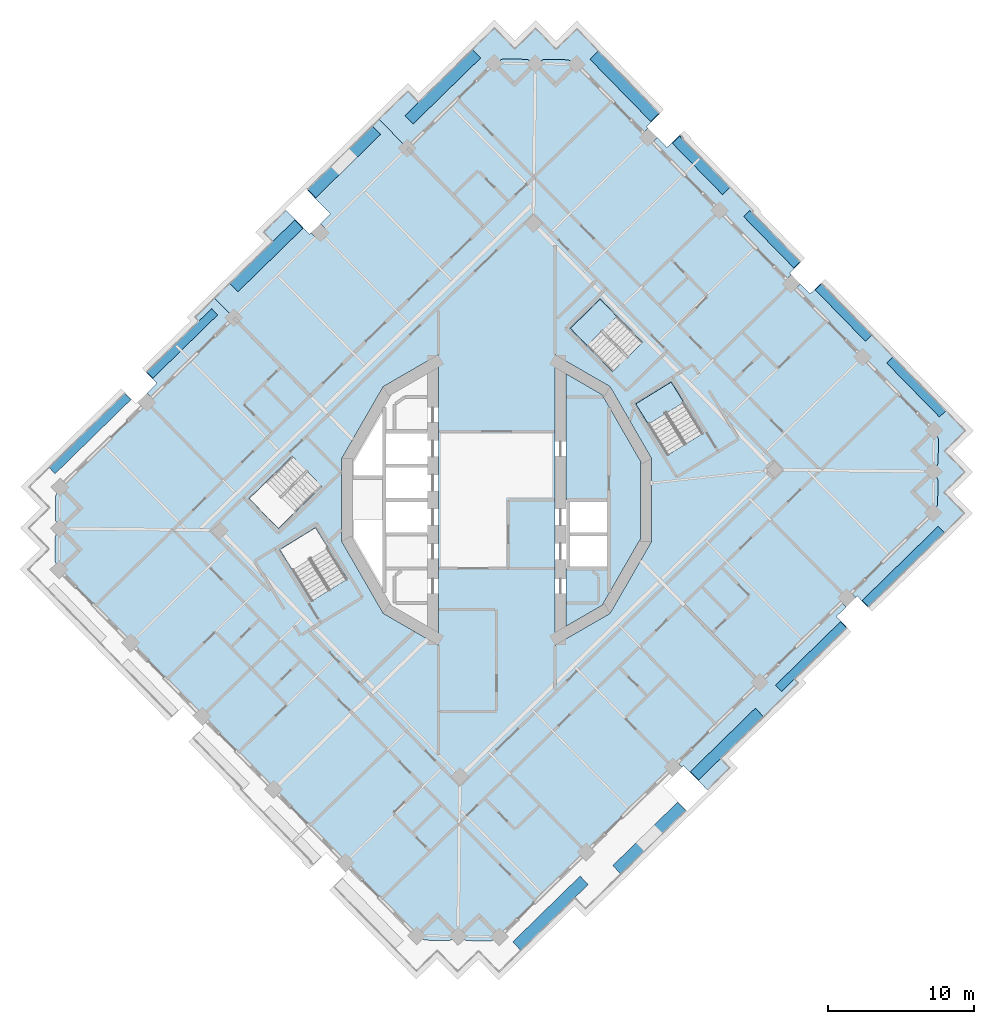
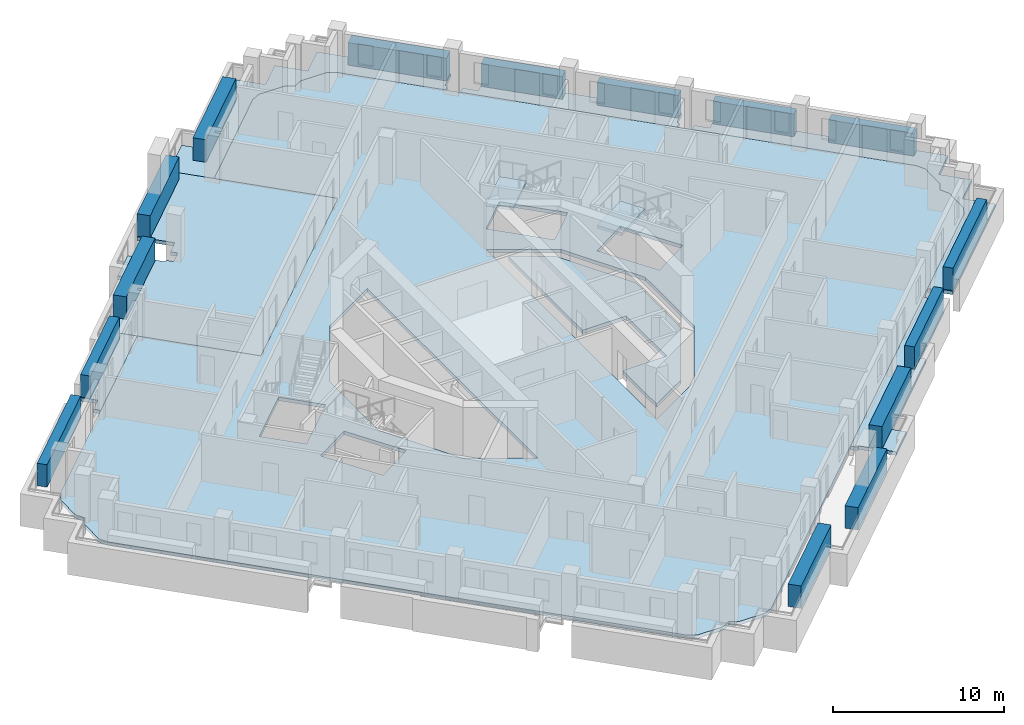
# One storey, part 3 of 19: 15 plates, 10 slabs, 2 elements without a shape of their own.
"""IFC4 building model written with IfcOpenShell, lengths in metres."""

from ifc_helpers import new_model, si_unit, direction, frame, origin, origin_2d, place, context, subcontext, project, spatial, polyline, rectangle, outline, extrude, material, layer, layer_set, type_object, element, aggregate, save


model = new_model("IFC4")

# Units and contexts
model_context = context("Model", 3, precision=1e-05, world=origin(), true_north=direction((0.0, 1.0)))
body_context = subcontext(model_context, "Body", "Model", "MODEL_VIEW")
ifc_project = project(units=[si_unit("LENGTHUNIT", "METRE"), si_unit("AREAUNIT", "SQUARE_METRE"), si_unit("VOLUMEUNIT", "CUBIC_METRE"), si_unit("PLANEANGLEUNIT", "RADIAN"), si_unit("MASSUNIT", "GRAM", prefix="KILO")], contexts=[model_context])

# Site, building, storey
site_placement = place(None, origin())
site = spatial("IfcSite", under=ifc_project, at=site_placement, CompositionType="ELEMENT")
building_placement = place(site_placement, origin())
building = spatial("IfcBuilding", under=site, at=building_placement, Name="Cantera Rosa Tower", CompositionType="ELEMENT")
storey_placement = place(building_placement, frame((0.0, 0.0, 216.199951171875)))
storey = spatial("IfcBuildingStorey", under=building, at=storey_placement, Name="L46", CompositionType="ELEMENT", Elevation=216.199951171875)

# Slabs
ifc_material_1 = material(Name="Concrete C35/45", Category="concrete")
ifc_layer_1 = layer(ifc_material_1, 0.25)
ifc_layer_set_1 = layer_set([ifc_layer_1], Name="COMPOSITE FLOOR SLAB 250 C35/45")
slab_type_1 = type_object("IfcSlabType", Name="COMPOSITE FLOOR SLAB 250 C35/45", PredefinedType="FLOOR", material=ifc_layer_set_1)
slab_1_placement = place(storey_placement, frame((0.0, 0.0, -0.25)))
element("IfcSlab", 1, at=slab_1_placement, inside=storey, type_object=slab_type_1, Name="SLAB L46 floor 2", PredefinedType="FLOOR", context=body_context, shape_type="SweptSolid", body=[
    extrude(outline(polyline([(-2.154541015625, -30.1875), (-2.646484375, -29.917236328125), (-3.144287109375, -30.176025390625), (-3.171142578125, -30.188232421875), (-3.198974609375, -30.197998046875), (-3.2275390625, -30.20458984375), (-3.2568359375, -30.208740234375), (-3.2861328125, -30.209716796875), (-4.841796875, -30.191650390625), (-4.87109375, -30.18994140625), (-4.900146484375, -30.185302734375), (-4.9287109375, -30.177734375), (-4.956298828125, -30.16748046875), (-4.982666015625, -30.154541015625), (-5.474609375, -29.88427734375), (-30.003662109375, -4.777587890625), (-30.262451171875, -4.27978515625), (-30.274658203125, -4.2529296875), (-30.2841796875, -4.22509765625), (-30.291015625, -4.196533203125), (-30.295166015625, -4.167236328125), (-30.296142578125, -4.137939453125), (-30.278076171875, -2.58251953125), (-30.2763671875, -2.552978515625), (-30.271484375, -2.52392578125), (-30.26416015625, -2.495361328125), (-30.25390625, -2.4677734375), (-30.240966796875, -2.44140625), (-29.970703125, -1.949462890625), (-30.2294921875, -1.451416015625), (-30.24169921875, -1.4248046875), (-30.25146484375, -1.39697265625), (-30.25830078125, -1.368408203125), (-30.26220703125, -1.339111328125), (-30.26318359375, -1.309814453125), (-30.2451171875, 0.245849609375), (-30.243408203125, 0.275146484375), (-30.23876953125, 0.30419921875), (-30.231201171875, 0.332763671875), (-30.220947265625, 0.3603515625), (-30.2080078125, 0.386962890625), (-29.937744140625, 0.878662109375), (-18.035400390625, 12.50732421875), (-12.794189453125, 7.142578125), (-0.891845703125, 18.771240234375), (-6.133056640625, 24.1357421875), (-0.883056640625, 29.26513671875), (-0.181884765625, 29.9501953125), (0.316162109375, 30.208984375), (0.343017578125, 30.22119140625), (0.37060546875, 30.230712890625), (0.3994140625, 30.237548828125), (0.4287109375, 30.24169921875), (0.4580078125, 30.24267578125), (2.013427734375, 30.224609375), (2.04296875, 30.222900390625), (2.072021484375, 30.218017578125), (2.100341796875, 30.210693359375), (2.1279296875, 30.200439453125), (2.154541015625, 30.1875), (2.646484375, 29.917236328125), (3.144287109375, 30.176025390625), (3.171142578125, 30.188232421875), (3.198974609375, 30.197998046875), (3.2275390625, 30.20458984375), (3.2568359375, 30.208740234375), (3.2861328125, 30.209716796875), (4.841796875, 30.191650390625), (4.87109375, 30.18994140625), (4.900146484375, 30.185302734375), (4.9287109375, 30.177734375), (4.956298828125, 30.16748046875), (4.982666015625, 30.154541015625), (5.474609375, 29.88427734375), (30.003662109375, 4.777587890625), (30.262451171875, 4.27978515625), (30.274658203125, 4.2529296875), (30.2841796875, 4.22509765625), (30.291015625, 4.196533203125), (30.295166015625, 4.167236328125), (30.296142578125, 4.137939453125), (30.278076171875, 2.58251953125), (30.2763671875, 2.552978515625), (30.271484375, 2.52392578125), (30.26416015625, 2.495361328125), (30.25390625, 2.4677734375), (30.240966796875, 2.44140625), (29.970703125, 1.949462890625), (30.2294921875, 1.451416015625), (30.24169921875, 1.4248046875), (30.25146484375, 1.39697265625), (30.25830078125, 1.368408203125), (30.26220703125, 1.339111328125), (30.26318359375, 1.309814453125), (30.2451171875, -0.245849609375), (30.243408203125, -0.275146484375), (30.23876953125, -0.30419921875), (30.231201171875, -0.332763671875), (30.220947265625, -0.3603515625), (30.2080078125, -0.386962890625), (29.937744140625, -0.878662109375), (0.883056640625, -29.26513671875), (0.181884765625, -29.9501953125), (-0.316162109375, -30.208984375), (-0.343017578125, -30.22119140625), (-0.37060546875, -30.230712890625), (-0.3994140625, -30.237548828125), (-0.4287109375, -30.24169921875), (-0.4580078125, -30.24267578125), (-2.013427734375, -30.224609375), (-2.04296875, -30.222900390625), (-2.072021484375, -30.218017578125), (-2.100341796875, -30.210693359375), (-2.1279296875, -30.200439453125), (-2.154541015625, -30.1875)]), holes=[polyline([(-14.8564453125, -3.407470703125), (-12.68408203125, -6.929443359375), (-10.258544921875, -5.433349609375), (-12.430908203125, -1.911376953125), (-14.8564453125, -3.407470703125)]), polyline([(-10.625244140625, -2.846923828125), (-7.7783203125, -7.7783203125), (-4.0, -9.95947265625), (-4.0, 9.95947265625), (-7.7783203125, 7.7783203125), (-10.625244140625, 2.846923828125), (-10.625244140625, -2.846923828125)]), polyline([(-16.962890625, 0.097412109375), (-14.97119140625, -1.941162109375), (-12.01123046875, 0.95068359375), (-14.0029296875, 2.9892578125), (-16.962890625, 0.097412109375)]), polyline([(10.625244140625, -2.846923828125), (10.625244140625, 2.846923828125), (7.7783203125, 7.7783203125), (4.0, 9.95947265625), (4.0, -9.95947265625), (7.7783203125, -7.7783203125), (10.625244140625, -2.846923828125)]), polyline([(11.96923828125, 8.088623046875), (9.54345703125, 6.592529296875), (11.7158203125, 3.070556640625), (14.1416015625, 4.566650390625), (11.96923828125, 8.088623046875)]), polyline([(7.097412109375, 13.762939453125), (5.058837890625, 11.771240234375), (7.95068359375, 8.811279296875), (9.9892578125, 10.802978515625), (7.097412109375, 13.762939453125)])]), origin(), (0.0, 0.0, 1.0), 0.25),
])
slab_2_placement = place(storey_placement, frame((0.0, 0.0, -0.25)))
element("IfcSlab", 2, at=slab_2_placement, inside=storey, type_object=slab_type_1, Name="SLAB L46 floor 3", PredefinedType="FLOOR", context=body_context, shape_type="SweptSolid", body=[
    extrude(outline(polyline([(7.699951171875, 0.0), (4.75, 0.0), (4.75, 8.660400390625), (7.22900390625, 7.22900390625), (9.875244140625, 2.64599609375), (9.875244140625, -2.64599609375), (7.22900390625, -7.22900390625), (4.75, -8.660400390625), (4.75, -4.699951171875), (7.699951171875, -4.699951171875), (7.699951171875, -2.35009765625), (7.699951171875, 0.0)])), origin(), (0.0, 0.0, 1.0), 0.25),
])
ifc_material_2 = material(Name="Concrete C35/45", Category="concrete")
ifc_layer_2 = layer(ifc_material_2, 0.25)
ifc_layer_set_2 = layer_set([ifc_layer_2], Name="LOGGIA SLAB 250 C35/45")
slab_type_2 = type_object("IfcSlabType", Name="LOGGIA SLAB 250 C35/45", PredefinedType="FLOOR", material=ifc_layer_set_2)
slab_3_placement = place(storey_placement, frame((0.0, 0.0, -0.25)))
element("IfcSlab", 3, at=slab_3_placement, inside=storey, type_object=slab_type_2, Name="LOGGIA SLAB L46 2", PredefinedType="FLOOR", context=body_context, shape_type="SweptSolid", body=[
    extrude(outline(polyline([(-23.664794921875, 7.007568359375), (-23.979248046875, 7.329345703125), (-23.2998046875, 7.9931640625), (-24.033447265625, 8.744384765625), (-23.9619140625, 8.814208984375), (-20.416015625, 12.278564453125), (-20.669189453125, 12.537841796875), (-19.3369140625, 13.839599609375), (-18.035400390625, 12.50732421875), (-23.664794921875, 7.007568359375)])), origin(), (0.0, 0.0, 1.0), 0.25),
])
slab_4_placement = place(storey_placement, frame((0.0, 0.0, -0.25)))
element("IfcSlab", 4, at=slab_4_placement, inside=storey, type_object=slab_type_2, Name="LOGGIA SLAB L46 4", PredefinedType="FLOOR", context=body_context, shape_type="SweptSolid", body=[
    extrude(outline(polyline([(1.243896484375, 30.923583984375), (1.45849609375, 31.13330078125), (2.67431640625, 32.3212890625), (3.8623046875, 31.105224609375), (4.072021484375, 30.890625), (4.28662109375, 31.100341796875), (5.502685546875, 32.288330078125), (6.690673828125, 31.072265625), (11.177001953125, 26.480224609375), (10.282958984375, 25.606689453125), (10.3876953125, 25.499267578125), (10.06591796875, 25.184814453125), (5.474609375, 29.88427734375), (4.982666015625, 30.154541015625), (4.956298828125, 30.16748046875), (4.9287109375, 30.177734375), (4.900146484375, 30.185302734375), (4.87109375, 30.18994140625), (4.841796875, 30.191650390625), (3.2861328125, 30.209716796875), (3.2568359375, 30.208740234375), (3.2275390625, 30.20458984375), (3.198974609375, 30.197998046875), (3.171142578125, 30.188232421875), (3.144287109375, 30.176025390625), (2.646484375, 29.917236328125), (2.154541015625, 30.1875), (2.1279296875, 30.200439453125), (2.100341796875, 30.210693359375), (2.072021484375, 30.218017578125), (2.04296875, 30.222900390625), (2.013427734375, 30.224609375), (0.4580078125, 30.24267578125), (0.4287109375, 30.24169921875), (0.3994140625, 30.237548828125), (0.37060546875, 30.230712890625), (0.343017578125, 30.22119140625), (0.316162109375, 30.208984375), (-0.181884765625, 29.9501953125), (-0.883056640625, 29.26513671875), (-6.133056640625, 24.1357421875), (-8.052490234375, 26.100341796875), (-6.087890625, 28.019775390625), (-5.3564453125, 27.271240234375), (-1.369873046875, 31.166015625), (-0.15380859375, 32.35400390625), (1.0341796875, 31.13818359375), (1.243896484375, 30.923583984375)])), origin(), (0.0, 0.0, 1.0), 0.25),
])
slab_5_placement = place(storey_placement, frame((0.0, 0.0, -0.25)))
element("IfcSlab", 5, at=slab_5_placement, inside=storey, type_object=slab_type_2, Name="LOGGIA SLAB L46 6", PredefinedType="FLOOR", context=body_context, shape_type="SweptSolid", body=[
    extrude(outline(polyline([(20.845703125, 16.2978515625), (20.094482421875, 15.56396484375), (20.199462890625, 15.456787109375), (19.87744140625, 15.14208984375), (10.69482421875, 24.541015625), (11.016845703125, 24.855712890625), (11.6806640625, 24.176025390625), (12.57470703125, 25.049560546875), (12.784423828125, 24.8349609375), (12.724609375, 24.776611328125), (17.57177734375, 19.815185546875), (17.488525390625, 19.73388671875), (20.216796875, 16.94140625), (20.845703125, 16.2978515625)])), origin(), (0.0, 0.0, 1.0), 0.25),
])
slab_6_placement = place(storey_placement, frame((0.0, 0.0, -0.25)))
element("IfcSlab", 6, at=slab_6_placement, inside=storey, type_object=slab_type_2, Name="LOGGIA SLAB L46 7", PredefinedType="FLOOR", context=body_context, shape_type="SweptSolid", body=[
    extrude(outline(polyline([(23.979248046875, -7.329345703125), (23.2998046875, -7.9931640625), (24.033447265625, -8.744384765625), (23.9619140625, -8.814208984375), (20.416015625, -12.278564453125), (20.669189453125, -12.537841796875), (15.350341796875, -17.734375), (15.968017578125, -18.36669921875), (14.4326171875, -19.86669921875), (12.827880859375, -18.22412109375), (12.720703125, -18.3291015625), (12.406005859375, -18.007080078125), (23.664794921875, -7.007568359375), (23.979248046875, -7.329345703125)])), origin(), (0.0, 0.0, 1.0), 0.25),
])
slab_7_placement = place(storey_placement, frame((0.0, 0.0, -0.25)))
element("IfcSlab", 7, at=slab_7_placement, inside=storey, type_object=slab_type_2, Name="LOGGIA SLAB L46 8", PredefinedType="FLOOR", context=body_context, shape_type="SweptSolid", body=[
    extrude(outline(polyline([(31.0517578125, 3.704833984375), (30.694091796875, 3.35546875), (31.043701171875, 2.997802734375), (32.091796875, 1.9248046875), (31.018798828125, 0.876708984375), (30.661376953125, 0.527099609375), (31.0107421875, 0.16943359375), (32.05908203125, -0.9033203125), (30.986083984375, -1.95166015625), (26.10791015625, -6.7177734375), (25.464111328125, -7.3466796875), (24.730224609375, -6.595703125), (24.622802734375, -6.700439453125), (24.30859375, -6.37841796875), (29.937744140625, -0.878662109375), (30.2080078125, -0.386962890625), (30.220947265625, -0.3603515625), (30.231201171875, -0.332763671875), (30.23876953125, -0.30419921875), (30.243408203125, -0.275146484375), (30.2451171875, -0.245849609375), (30.26318359375, 1.309814453125), (30.26220703125, 1.339111328125), (30.25830078125, 1.368408203125), (30.25146484375, 1.39697265625), (30.24169921875, 1.4248046875), (30.2294921875, 1.451416015625), (29.970703125, 1.949462890625), (30.240966796875, 2.44140625), (30.25390625, 2.4677734375), (30.26416015625, 2.495361328125), (30.271484375, 2.52392578125), (30.2763671875, 2.552978515625), (30.278076171875, 2.58251953125), (30.296142578125, 4.137939453125), (30.295166015625, 4.167236328125), (30.291015625, 4.196533203125), (30.2841796875, 4.22509765625), (30.274658203125, 4.2529296875), (30.262451171875, 4.27978515625), (30.003662109375, 4.777587890625), (20.506591796875, 14.49853515625), (20.828369140625, 14.81298828125), (21.4921875, 14.13330078125), (22.243408203125, 14.8671875), (22.313232421875, 14.795654296875), (25.12255859375, 11.920166015625), (27.218994140625, 9.7744140625), (31.076416015625, 5.825927734375), (32.124755859375, 4.753173828125), (31.0517578125, 3.704833984375)])), origin(), (0.0, 0.0, 1.0), 0.25),
])

# Plates
ifc_material_3 = material(Name="Cantera stone planter with soil", Category="masonry")
plate_type_1 = type_object("IfcPlateType", Name="PLANTER 600", PredefinedType="USERDEFINED", material=ifc_material_3)
plate_1_placement = place(storey_placement, frame((28.77587890625, 7.75146484375, 0.0), z_axis=(0.0, 0.0, 1.0), x_axis=(-0.698831540364, 0.71528629107, 0.0)))
element("IfcPlate", 8, at=plate_1_placement, inside=storey, type_object=plate_type_1, Name="PLANTER L46-01", ObjectType="PLANTER", PredefinedType="USERDEFINED", context=body_context, shape_type="SweptSolid", body=[
    extrude(rectangle(XDim=5.169921875, YDim=0.60009765625, at=origin_2d()), origin(), (0.0, 0.0, 1.0), 1.60009765625),
])
for number, where, z_axis, x_axis, name in (
    (9, (23.78271484375, 12.8623046875, 0.0), (0.0, 0.0, 1.0), (-0.698831540364, 0.71528629107, 0.0), "PLANTER L46-02"),
    (10, (18.876953125, 17.883544921875, 0.0), (0.0, 0.0, 1.0), (-0.698831540364, 0.71528629107, 0.0), "PLANTER L46-03"),
):
    element("IfcPlate", number, at=place(storey_placement, frame(where, z_axis=z_axis, x_axis=x_axis)), inside=storey, type_object=plate_type_1, Name=name, ObjectType="PLANTER", PredefinedType="USERDEFINED", context=body_context, shape_type="SweptSolid", body=[
        extrude(rectangle(XDim=4.919921875, YDim=0.60009765625, at=origin_2d()), origin(), (0.0, 0.0, 1.0), 1.60009765625),
    ])
plate_2_placement = place(storey_placement, frame((-21.5634765625, 10.738037109375, 0.0), z_axis=(0.0, 0.0, 1.0), x_axis=(-0.71528629107, -0.698831540364, 0.0)))
element("IfcPlate", 11, at=plate_2_placement, inside=storey, type_object=plate_type_1, Name="PLANTER L46-09", ObjectType="PLANTER", PredefinedType="USERDEFINED", context=body_context, shape_type="SweptSolid", body=[
    extrude(rectangle(XDim=6.219970703125, YDim=0.60009765625, at=origin_2d()), origin(), (0.0, 0.0, 1.0), 1.60009765625),
])
plate_3_placement = place(storey_placement, frame((-27.89013671875, 4.556884765625, 0.0), z_axis=(0.0, 0.0, 1.0), x_axis=(-0.71528629107, -0.698831540364, 0.0)))
element("IfcPlate", 12, at=plate_3_placement, inside=storey, type_object=plate_type_1, Name="PLANTER L46-10", ObjectType="PLANTER", PredefinedType="USERDEFINED", context=body_context, shape_type="SweptSolid", body=[
    extrude(rectangle(XDim=7.27001953125, YDim=0.60009765625, at=origin_2d()), origin(), (0.0, 0.0, 1.0), 1.60009765625),
])
plate_4_placement = place(storey_placement, frame((21.5634765625, -10.738037109375, 0.0), z_axis=(0.0, 0.0, 1.0), x_axis=(0.71528629107, 0.698831540364, 0.0)))
element("IfcPlate", 13, at=plate_4_placement, inside=storey, type_object=plate_type_1, Name="PLANTER L46-19", ObjectType="PLANTER", PredefinedType="USERDEFINED", context=body_context, shape_type="SweptSolid", body=[
    extrude(rectangle(XDim=6.219970703125, YDim=0.60009765625, at=origin_2d()), origin(), (0.0, 0.0, 1.0), 1.60009765625),
])
plate_5_placement = place(storey_placement, frame((27.89013671875, -4.556884765625, 0.0), z_axis=(0.0, 0.0, 1.0), x_axis=(0.71528629107, 0.698831540364, 0.0)))
element("IfcPlate", 14, at=plate_5_placement, inside=storey, type_object=plate_type_1, Name="PLANTER L46-20", ObjectType="PLANTER", PredefinedType="USERDEFINED", context=body_context, shape_type="SweptSolid", body=[
    extrude(rectangle(XDim=7.27001953125, YDim=0.60009765625, at=origin_2d()), origin(), (0.0, 0.0, 1.0), 1.60009765625),
])
ifc_material_4 = material(Name="Cantera stone planter with soil", Category="masonry")
plate_type_2 = type_object("IfcPlateType", Name="PLANTER 700", PredefinedType="USERDEFINED", material=ifc_material_4)
plate_6_placement = place(storey_placement, frame((14.0185546875, 22.951171875, 0.0), z_axis=(0.0, 0.0, 1.0), x_axis=(-0.698831540364, 0.71528629107, 0.0)))
element("IfcPlate", 15, at=plate_6_placement, inside=storey, type_object=plate_type_2, Name="PLANTER L46-04", ObjectType="PLANTER", PredefinedType="USERDEFINED", context=body_context, shape_type="SweptSolid", body=[
    extrude(rectangle(XDim=4.919921875, YDim=0.699951171875, at=origin_2d()), origin(), (0.0, 0.0, 1.0), 1.60009765625),
])
ifc_material_5 = material(Name="Cantera stone planter with soil", Category="masonry")
plate_type_3 = type_object("IfcPlateType", Name="PLANTER 800", PredefinedType="USERDEFINED", material=ifc_material_5)
plate_7_placement = place(storey_placement, frame((8.77001953125, 28.37158203125, 0.0), z_axis=(0.0, 0.0, 1.0), x_axis=(-0.698831540364, 0.71528629107, 0.0)))
element("IfcPlate", 16, at=plate_7_placement, inside=storey, type_object=plate_type_3, Name="PLANTER L46-05", ObjectType="PLANTER", PredefinedType="USERDEFINED", context=body_context, shape_type="SweptSolid", body=[
    extrude(rectangle(XDim=5.969970703125, YDim=0.800048828125, at=origin_2d()), origin(), (0.0, 0.0, 1.0), 1.60009765625),
])
plate_8_placement = place(storey_placement, frame((-3.6904296875, 28.33984375, 0.0), z_axis=(0.0, 0.0, 1.0), x_axis=(-0.71528629107, -0.698831540364, 0.0)))
element("IfcPlate", 17, at=plate_8_placement, inside=storey, type_object=plate_type_3, Name="PLANTER L46-06", ObjectType="PLANTER", PredefinedType="USERDEFINED", context=body_context, shape_type="SweptSolid", body=[
    extrude(rectangle(XDim=6.469970703125, YDim=0.800048828125, at=origin_2d()), origin(), (0.0, 0.0, 1.0), 1.60009765625),
])
for number, where, z_axis, x_axis, name in (
    (18, (-10.46240234375, 23.186767578125, 0.0), (0.0, 0.0, 1.0), (-0.71528629107, -0.698831540364, 0.0), "PLANTER L46-07"),
    (19, (-15.795654296875, 16.739990234375, 0.0), (0.0, 0.0, 1.0), (-0.71528629107, -0.698831540364, 0.0), "PLANTER L46-08"),
):
    element("IfcPlate", number, at=place(storey_placement, frame(where, z_axis=z_axis, x_axis=x_axis)), inside=storey, type_object=plate_type_3, Name=name, ObjectType="PLANTER", PredefinedType="USERDEFINED", context=body_context, shape_type="SweptSolid", body=[
        extrude(rectangle(XDim=6.219970703125, YDim=0.800048828125, at=origin_2d()), origin(), (0.0, 0.0, 1.0), 1.60009765625),
    ])
plate_9_placement = place(storey_placement, frame((3.6904296875, -28.33984375, 0.0), z_axis=(0.0, 0.0, 1.0), x_axis=(0.71528629107, 0.698831540364, 0.0)))
element("IfcPlate", 20, at=plate_9_placement, inside=storey, type_object=plate_type_3, Name="PLANTER L46-16", ObjectType="PLANTER", PredefinedType="USERDEFINED", context=body_context, shape_type="SweptSolid", body=[
    extrude(rectangle(XDim=6.469970703125, YDim=0.800048828125, at=origin_2d()), origin(), (0.0, 0.0, 1.0), 1.60009765625),
])
for number, where, z_axis, x_axis, name in (
    (21, (10.46240234375, -23.186767578125, 0.0), (0.0, 0.0, 1.0), (0.71528629107, 0.698831540364, 0.0), "PLANTER L46-17"),
    (22, (15.795654296875, -16.739990234375, 0.0), (0.0, 0.0, 1.0), (0.71528629107, 0.698831540364, 0.0), "PLANTER L46-18"),
):
    element("IfcPlate", number, at=place(storey_placement, frame(where, z_axis=z_axis, x_axis=x_axis)), inside=storey, type_object=plate_type_3, Name=name, ObjectType="PLANTER", PredefinedType="USERDEFINED", context=body_context, shape_type="SweptSolid", body=[
        extrude(rectangle(XDim=6.219970703125, YDim=0.800048828125, at=origin_2d()), origin(), (0.0, 0.0, 1.0), 1.60009765625),
    ])

# Stair, slab
ifc_material_6 = material(Name="Concrete C35/45", Category="concrete")
stair_type = type_object("IfcStairType", Name="EXIT STAIR 1350 DOGLEG", PredefinedType="HALF_TURN_STAIR", material=ifc_material_6)
stair_1_placement = place(storey_placement, origin())
stair_1 = element("IfcStair", 23, at=stair_1_placement, inside=storey, type_object=stair_type, Name="L46 ST-41", PredefinedType="HALF_TURN_STAIR")
ifc_material_7 = material(Name="Concrete C35/45", Category="concrete")
ifc_layer_3 = layer(ifc_material_7, 0.199951171875)
ifc_layer_set_3 = layer_set([ifc_layer_3], Name="STAIR LANDING 200")
slab_type_3 = type_object("IfcSlabType", Name="STAIR LANDING 200", PredefinedType="LANDING", material=ifc_layer_set_3)
slab_8_placement = place(storey_placement, frame((0.0, 0.0, 1.60009765625)))
slab_8 = element("IfcSlab", 24, at=slab_8_placement, type_object=slab_type_3, Name="ST-41 landing 1", PredefinedType="LANDING", context=body_context, shape_type="SweptSolid", body=[
    extrude(outline(polyline([(12.8310546875, 6.691162109375), (11.96923828125, 8.088623046875), (9.54345703125, 6.592529296875), (10.405517578125, 5.19482421875), (12.8310546875, 6.691162109375)])), origin(), (0.0, 0.0, 1.0), 0.199951171875),
])
aggregate(stair_1, [slab_8])

stair_2_placement = place(storey_placement, origin())
stair_2 = element("IfcStair", 25, at=stair_2_placement, inside=storey, type_object=stair_type, Name="L46 ST-42", PredefinedType="HALF_TURN_STAIR")
slab_9_placement = place(storey_placement, frame((0.0, 0.0, 1.60009765625)))
slab_9 = element("IfcSlab", 26, at=slab_9_placement, type_object=slab_type_3, Name="ST-42 landing 1", PredefinedType="LANDING", context=body_context, shape_type="SweptSolid", body=[
    extrude(outline(polyline([(8.244873046875, 12.58837890625), (7.097412109375, 13.762939453125), (5.058837890625, 11.771240234375), (6.206298828125, 10.5966796875), (8.244873046875, 12.58837890625)])), origin(), (0.0, 0.0, 1.0), 0.199951171875),
])
aggregate(stair_2, [slab_9])

# Slab
ifc_material_8 = material(Name="Concrete C35/45", Category="concrete")
ifc_layer_4 = layer(ifc_material_8, 0.25)
ifc_layer_set_4 = layer_set([ifc_layer_4], Name="TERRACE SLAB 250 C35/45")
slab_type_4 = type_object("IfcSlabType", Name="TERRACE SLAB 250 C35/45", PredefinedType="FLOOR", material=ifc_layer_set_4)
slab_10_placement = place(storey_placement, frame((0.0, 0.0, -0.25)))
element("IfcSlab", 27, at=slab_10_placement, inside=storey, type_object=slab_type_4, Name="TERRACE SLAB L46 1", PredefinedType="FLOOR", context=body_context, shape_type="SweptSolid", body=[
    extrude(outline(polyline([(-19.3369140625, 13.839599609375), (-15.350341796875, 17.734375), (-15.968017578125, 18.36669921875), (-14.4326171875, 19.86669921875), (-12.827880859375, 18.22412109375), (-12.720703125, 18.3291015625), (-12.406005859375, 18.007080078125), (-11.76220703125, 18.635986328125), (-12.076904296875, 18.9580078125), (-11.397216796875, 19.621826171875), (-13.002197265625, 21.264404296875), (-8.052490234375, 26.100341796875), (-6.133056640625, 24.1357421875), (-0.891845703125, 18.771240234375), (-12.794189453125, 7.142578125), (-18.035400390625, 12.50732421875), (-19.3369140625, 13.839599609375)])), origin(), (0.0, 0.0, 1.0), 0.25),
])

save(model, "model.ifc")
